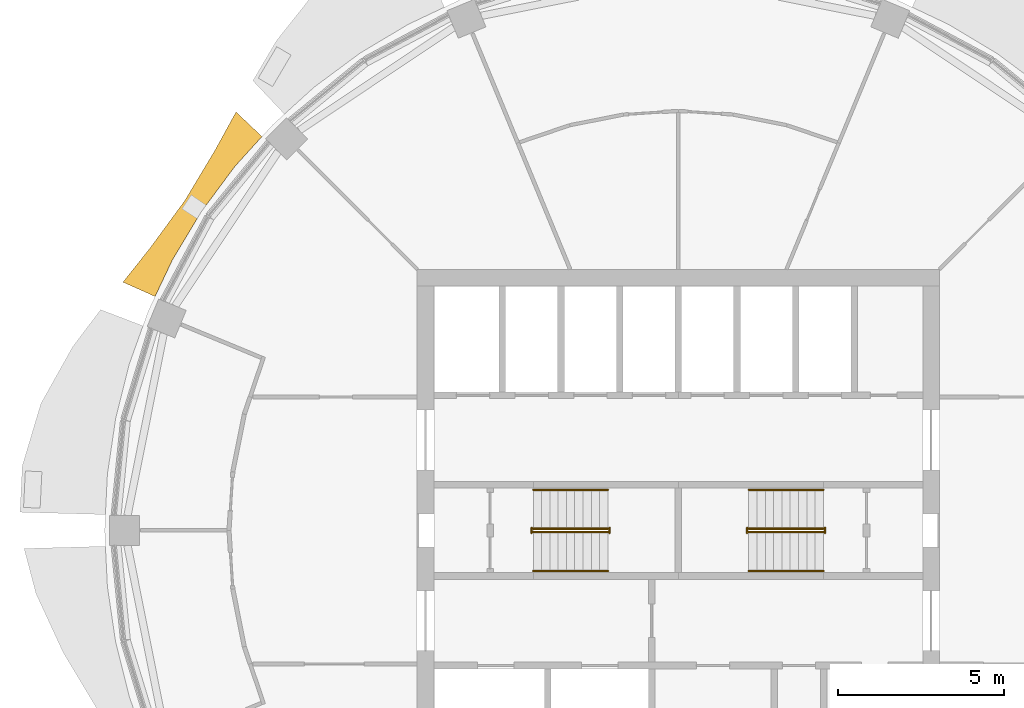
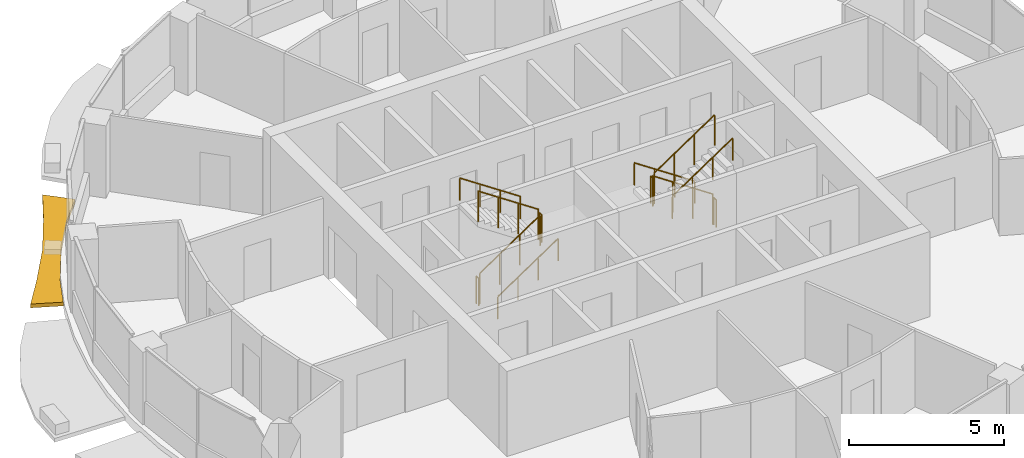
# One storey, part 13 of 15: 12 railings, 1 shading device.
"""IFC4 building model written with IfcOpenShell, lengths in metres."""

from ifc_helpers import new_model, si_unit, direction, frame, origin, origin_2d, place, context, subcontext, project, spatial, polyline, circle, outline, extrude, material, type_object, element, save


model = new_model("IFC4")

# Units and contexts
model_context = context("Model", 3, precision=1e-05, world=origin(), true_north=direction((0.0, 1.0)))
body_context = subcontext(model_context, "Body", "Model", "MODEL_VIEW")
ifc_project = project(units=[si_unit("LENGTHUNIT", "METRE"), si_unit("AREAUNIT", "SQUARE_METRE"), si_unit("VOLUMEUNIT", "CUBIC_METRE"), si_unit("PLANEANGLEUNIT", "RADIAN"), si_unit("MASSUNIT", "GRAM", prefix="KILO")], contexts=[model_context])

# Site, building, storey
site_placement = place(None, origin())
site = spatial("IfcSite", under=ifc_project, at=site_placement, CompositionType="ELEMENT")
building_placement = place(site_placement, origin())
building = spatial("IfcBuilding", under=site, at=building_placement, Name="Polderwave Tower", CompositionType="ELEMENT")
storey_placement = place(building_placement, frame((0.0, 0.0, 201.050048828125)))
storey = spatial("IfcBuildingStorey", under=building, at=storey_placement, Name="L54", CompositionType="ELEMENT", Elevation=201.050048828125)

# Railings
ifc_material_1 = material(Name="Stainless steel", Category="steel")
railing_type_1 = type_object("IfcRailingType", Name="Stair guard 1100", PredefinedType="GUARDRAIL", material=ifc_material_1)
railing_1_placement = place(storey_placement, frame((-4.3740234375, -0.051025390625, 0.04736328125)))
element("IfcRailing", 1, at=railing_1_placement, inside=storey, type_object=railing_type_1, Name="L54 ST-A stair guard 1", PredefinedType="GUARDRAIL", context=body_context, shape_type="SweptSolid", body=[
    extrude(circle(Radius=0.02392578125, at=origin_2d()), frame((0.0, 0.0, 1.1962890625), z_axis=(0.830758306289, 0.0, 0.556633305266), x_axis=(0.0, 1.0, 0.0)), (0.0, 0.0, 1.0), 2.708251953125),
    extrude(circle(Radius=0.02392578125, at=origin_2d()), origin(), (0.0, 0.0, 1.0), 1.172119140625),
    extrude(circle(Radius=0.02392578125, at=origin_2d()), frame((0.75, 0.0, 0.50244140625)), (0.0, 0.0, 1.0), 1.172119140625),
    extrude(circle(Radius=0.02392578125, at=origin_2d()), frame((1.5, 0.0, 1.005126953125)), (0.0, 0.0, 1.0), 1.172119140625),
    extrude(circle(Radius=0.02392578125, at=origin_2d()), frame((2.25, 0.0, 1.507568359375)), (0.0, 0.0, 1.0), 1.172119140625),
])
railing_2_placement = place(storey_placement, frame((-2.073974609375, -0.074951171875, 1.675048828125)))
element("IfcRailing", 2, at=railing_2_placement, inside=storey, type_object=railing_type_1, Name="L54 ST-A stair guard 2", PredefinedType="GUARDRAIL", context=body_context, shape_type="SweptSolid", body=[
    extrude(circle(Radius=0.02392578125, at=origin_2d()), frame((0.0, 0.0, 1.076171875), z_axis=(0.0, 1.0, 0.0), x_axis=(-1.0, 0.0, 0.0)), (0.0, 0.0, 1.0), 0.14990234375),
    extrude(circle(Radius=0.02099609375, at=origin_2d()), origin(), (0.0, 0.0, 1.0), 1.052001953125),
    extrude(circle(Radius=0.02099609375, at=origin_2d()), frame((0.0, 0.14990234375, 0.0)), (0.0, 0.0, 1.0), 1.052001953125),
])
railing_3_placement = place(storey_placement, frame((-2.1240234375, 0.051025390625, 1.722412109375)))
element("IfcRailing", 3, at=railing_3_placement, inside=storey, type_object=railing_type_1, Name="L54 ST-A stair guard 3", PredefinedType="GUARDRAIL", context=body_context, shape_type="SweptSolid", body=[
    extrude(circle(Radius=0.02392578125, at=origin_2d()), frame((0.0, 0.0, 1.1962890625), z_axis=(-0.830799990696, 0.0, 0.556571087517), x_axis=(0.0, -1.0, 0.0)), (0.0, 0.0, 1.0), 2.708251953125),
    extrude(circle(Radius=0.02392578125, at=origin_2d()), origin(), (0.0, 0.0, 1.0), 1.172119140625),
    extrude(circle(Radius=0.02392578125, at=origin_2d()), frame((-0.75, 0.0, 0.50244140625)), (0.0, 0.0, 1.0), 1.172119140625),
    extrude(circle(Radius=0.02392578125, at=origin_2d()), frame((-1.5, 0.0, 1.0048828125)), (0.0, 0.0, 1.0), 1.172119140625),
    extrude(circle(Radius=0.02392578125, at=origin_2d()), frame((-2.25, 0.0, 1.50732421875)), (0.0, 0.0, 1.0), 1.172119140625),
])
railing_4_placement = place(storey_placement, frame((-4.424072265625, -0.074951171875, 0.0)))
element("IfcRailing", 4, at=railing_4_placement, inside=storey, type_object=railing_type_1, Name="L54 ST-A stair guard 4", PredefinedType="GUARDRAIL", context=body_context, shape_type="SweptSolid", body=[
    extrude(circle(Radius=0.02392578125, at=origin_2d()), frame((0.0, 0.0, 1.076171875), z_axis=(0.0, 1.0, 0.0), x_axis=(-1.0, 0.0, 0.0)), (0.0, 0.0, 1.0), 0.14990234375),
    extrude(circle(Radius=0.02099609375, at=origin_2d()), origin(), (0.0, 0.0, 1.0), 1.052001953125),
    extrude(circle(Radius=0.02099609375, at=origin_2d()), frame((0.0, 0.14990234375, 0.0)), (0.0, 0.0, 1.0), 1.052001953125),
])
railing_5_placement = place(storey_placement, frame((4.3740234375, 0.051025390625, 0.04736328125)))
element("IfcRailing", 5, at=railing_5_placement, inside=storey, type_object=railing_type_1, Name="L54 ST-B stair guard 1", PredefinedType="GUARDRAIL", context=body_context, shape_type="SweptSolid", body=[
    extrude(circle(Radius=0.02392578125, at=origin_2d()), frame((0.0, 0.0, 1.1962890625), z_axis=(-0.830758306289, 0.0, 0.556633305266), x_axis=(0.0, -1.0, 0.0)), (0.0, 0.0, 1.0), 2.708251953125),
    extrude(circle(Radius=0.02392578125, at=origin_2d()), origin(), (0.0, 0.0, 1.0), 1.172119140625),
    extrude(circle(Radius=0.02392578125, at=origin_2d()), frame((-0.75, 0.0, 0.50244140625)), (0.0, 0.0, 1.0), 1.172119140625),
    extrude(circle(Radius=0.02392578125, at=origin_2d()), frame((-1.5, 0.0, 1.005126953125)), (0.0, 0.0, 1.0), 1.172119140625),
    extrude(circle(Radius=0.02392578125, at=origin_2d()), frame((-2.25, 0.0, 1.507568359375)), (0.0, 0.0, 1.0), 1.172119140625),
])
railing_6_placement = place(storey_placement, frame((2.073974609375, 0.074951171875, 1.675048828125)))
element("IfcRailing", 6, at=railing_6_placement, inside=storey, type_object=railing_type_1, Name="L54 ST-B stair guard 2", PredefinedType="GUARDRAIL", context=body_context, shape_type="SweptSolid", body=[
    extrude(circle(Radius=0.02392578125, at=origin_2d()), frame((0.0, 0.0, 1.076171875), z_axis=(0.0, -1.0, 0.0), x_axis=(1.0, 0.0, 0.0)), (0.0, 0.0, 1.0), 0.14990234375),
    extrude(circle(Radius=0.02099609375, at=origin_2d()), origin(), (0.0, 0.0, 1.0), 1.052001953125),
    extrude(circle(Radius=0.02099609375, at=origin_2d()), frame((0.0, -0.14990234375, 0.0)), (0.0, 0.0, 1.0), 1.052001953125),
])
railing_7_placement = place(storey_placement, frame((2.1240234375, -0.051025390625, 1.722412109375)))
element("IfcRailing", 7, at=railing_7_placement, inside=storey, type_object=railing_type_1, Name="L54 ST-B stair guard 3", PredefinedType="GUARDRAIL", context=body_context, shape_type="SweptSolid", body=[
    extrude(circle(Radius=0.02392578125, at=origin_2d()), frame((0.0, 0.0, 1.1962890625), z_axis=(0.830799990696, 0.0, 0.556571087517), x_axis=(0.0, 1.0, 0.0)), (0.0, 0.0, 1.0), 2.708251953125),
    extrude(circle(Radius=0.02392578125, at=origin_2d()), origin(), (0.0, 0.0, 1.0), 1.172119140625),
    extrude(circle(Radius=0.02392578125, at=origin_2d()), frame((0.75, 0.0, 0.50244140625)), (0.0, 0.0, 1.0), 1.172119140625),
    extrude(circle(Radius=0.02392578125, at=origin_2d()), frame((1.5, 0.0, 1.0048828125)), (0.0, 0.0, 1.0), 1.172119140625),
    extrude(circle(Radius=0.02392578125, at=origin_2d()), frame((2.25, 0.0, 1.50732421875)), (0.0, 0.0, 1.0), 1.172119140625),
])
railing_8_placement = place(storey_placement, frame((4.424072265625, 0.074951171875, 0.0)))
element("IfcRailing", 8, at=railing_8_placement, inside=storey, type_object=railing_type_1, Name="L54 ST-B stair guard 4", PredefinedType="GUARDRAIL", context=body_context, shape_type="SweptSolid", body=[
    extrude(circle(Radius=0.02392578125, at=origin_2d()), frame((0.0, 0.0, 1.076171875), z_axis=(0.0, -1.0, 0.0), x_axis=(1.0, 0.0, 0.0)), (0.0, 0.0, 1.0), 0.14990234375),
    extrude(circle(Radius=0.02099609375, at=origin_2d()), origin(), (0.0, 0.0, 1.0), 1.052001953125),
    extrude(circle(Radius=0.02099609375, at=origin_2d()), frame((0.0, -0.14990234375, 0.0)), (0.0, 0.0, 1.0), 1.052001953125),
])
railing_type_2 = type_object("IfcRailingType", Name="Stair handrail 900", PredefinedType="HANDRAIL", material=ifc_material_1)
railing_9_placement = place(storey_placement, frame((-4.3740234375, -1.22509765625, 0.16748046875)))
element("IfcRailing", 9, at=railing_9_placement, inside=storey, type_object=railing_type_2, Name="L54 ST-A stair handrail 1", PredefinedType="HANDRAIL", context=body_context, shape_type="SweptSolid", body=[
    extrude(circle(Radius=0.02392578125, at=origin_2d()), frame((0.0, 0.0, 0.8759765625), z_axis=(0.830758306289, 0.0, 0.556633305266), x_axis=(0.0, 1.0, 0.0)), (0.0, 0.0, 1.0), 2.708251953125),
    extrude(circle(Radius=0.02099609375, at=origin_2d()), origin(), (0.0, 0.0, 1.0), 0.851806640625),
    extrude(circle(Radius=0.02099609375, at=origin_2d()), frame((0.75, 0.0, 0.50244140625)), (0.0, 0.0, 1.0), 0.851806640625),
    extrude(circle(Radius=0.02099609375, at=origin_2d()), frame((1.5, 0.0, 1.005126953125)), (0.0, 0.0, 1.0), 0.851806640625),
    extrude(circle(Radius=0.02099609375, at=origin_2d()), frame((2.25, 0.0, 1.507568359375)), (0.0, 0.0, 1.0), 0.851806640625),
])
railing_10_placement = place(storey_placement, frame((-2.1240234375, 1.22509765625, 1.842529296875)))
element("IfcRailing", 10, at=railing_10_placement, inside=storey, type_object=railing_type_2, Name="L54 ST-A stair handrail 2", PredefinedType="HANDRAIL", context=body_context, shape_type="SweptSolid", body=[
    extrude(circle(Radius=0.02392578125, at=origin_2d()), frame((0.0, 0.0, 0.8759765625), z_axis=(-0.830799990696, 0.0, 0.556571087517), x_axis=(0.0, -1.0, 0.0)), (0.0, 0.0, 1.0), 2.708251953125),
    extrude(circle(Radius=0.02099609375, at=origin_2d()), origin(), (0.0, 0.0, 1.0), 0.851806640625),
    extrude(circle(Radius=0.02099609375, at=origin_2d()), frame((-0.75, 0.0, 0.50244140625)), (0.0, 0.0, 1.0), 0.851806640625),
    extrude(circle(Radius=0.02099609375, at=origin_2d()), frame((-1.5, 0.0, 1.0048828125)), (0.0, 0.0, 1.0), 0.851806640625),
    extrude(circle(Radius=0.02099609375, at=origin_2d()), frame((-2.25, 0.0, 1.50732421875)), (0.0, 0.0, 1.0), 0.851806640625),
])
railing_11_placement = place(storey_placement, frame((4.3740234375, 1.22509765625, 0.16748046875)))
element("IfcRailing", 11, at=railing_11_placement, inside=storey, type_object=railing_type_2, Name="L54 ST-B stair handrail 1", PredefinedType="HANDRAIL", context=body_context, shape_type="SweptSolid", body=[
    extrude(circle(Radius=0.02392578125, at=origin_2d()), frame((0.0, 0.0, 0.8759765625), z_axis=(-0.830758306289, 0.0, 0.556633305266), x_axis=(0.0, -1.0, 0.0)), (0.0, 0.0, 1.0), 2.708251953125),
    extrude(circle(Radius=0.02099609375, at=origin_2d()), origin(), (0.0, 0.0, 1.0), 0.851806640625),
    extrude(circle(Radius=0.02099609375, at=origin_2d()), frame((-0.75, 0.0, 0.50244140625)), (0.0, 0.0, 1.0), 0.851806640625),
    extrude(circle(Radius=0.02099609375, at=origin_2d()), frame((-1.5, 0.0, 1.005126953125)), (0.0, 0.0, 1.0), 0.851806640625),
    extrude(circle(Radius=0.02099609375, at=origin_2d()), frame((-2.25, 0.0, 1.507568359375)), (0.0, 0.0, 1.0), 0.851806640625),
])
railing_12_placement = place(storey_placement, frame((2.1240234375, -1.22509765625, 1.842529296875)))
element("IfcRailing", 12, at=railing_12_placement, inside=storey, type_object=railing_type_2, Name="L54 ST-B stair handrail 2", PredefinedType="HANDRAIL", context=body_context, shape_type="SweptSolid", body=[
    extrude(circle(Radius=0.02392578125, at=origin_2d()), frame((0.0, 0.0, 0.8759765625), z_axis=(0.830799990696, 0.0, 0.556571087517), x_axis=(0.0, 1.0, 0.0)), (0.0, 0.0, 1.0), 2.708251953125),
    extrude(circle(Radius=0.02099609375, at=origin_2d()), origin(), (0.0, 0.0, 1.0), 0.851806640625),
    extrude(circle(Radius=0.02099609375, at=origin_2d()), frame((0.75, 0.0, 0.50244140625)), (0.0, 0.0, 1.0), 0.851806640625),
    extrude(circle(Radius=0.02099609375, at=origin_2d()), frame((1.5, 0.0, 1.0048828125)), (0.0, 0.0, 1.0), 0.851806640625),
    extrude(circle(Radius=0.02099609375, at=origin_2d()), frame((2.25, 0.0, 1.50732421875)), (0.0, 0.0, 1.0), 0.851806640625),
])

# Shading device
ifc_material_2 = material(Name="Terracotta", Category="masonry")
shading_device_type = type_object("IfcShadingDeviceType", Name="Terracotta sunshade band", PredefinedType="USERDEFINED", material=ifc_material_2)
shading_device_placement = place(storey_placement, frame((0.0, 0.0, -0.35009765625)))
element("IfcShadingDevice", 13, at=shading_device_placement, inside=storey, type_object=shading_device_type, Name="Sunshade band L54 7", ObjectType="SUNSHADE", PredefinedType="USERDEFINED", context=body_context, shape_type="SweptSolid", body=[
    extrude(outline(polyline([(-12.5546875, 11.8779296875), (-13.373046875, 10.97509765625), (-14.384521484375, 9.611328125), (-15.257080078125, 8.1552734375), (-15.7783203125, 7.053466796875), (-16.74755859375, 7.48681640625), (-15.930419921875, 8.514892578125), (-14.88330078125, 9.944580078125), (-13.971435546875, 11.466064453125), (-13.337646484375, 12.618896484375), (-12.5546875, 11.8779296875)])), origin(), (0.0, 0.0, 1.0), 0.150146484375),
])

save(model, "model.ifc")
